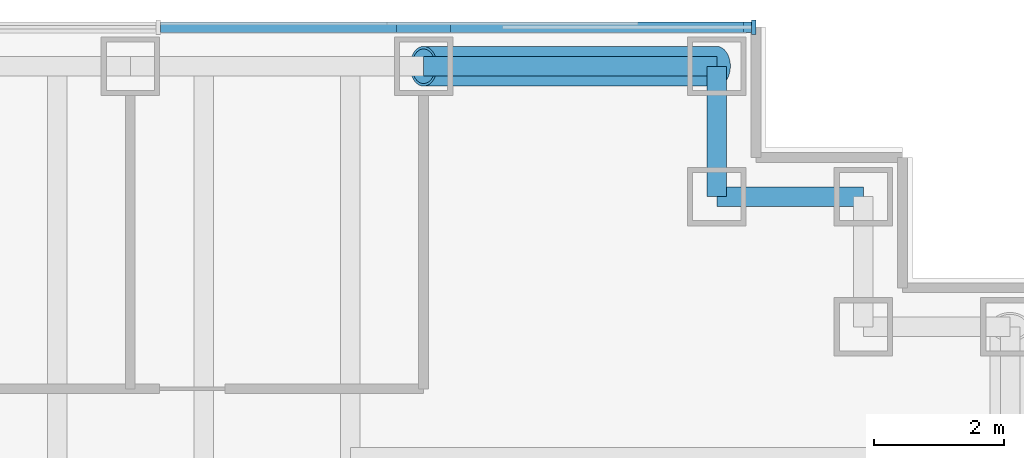
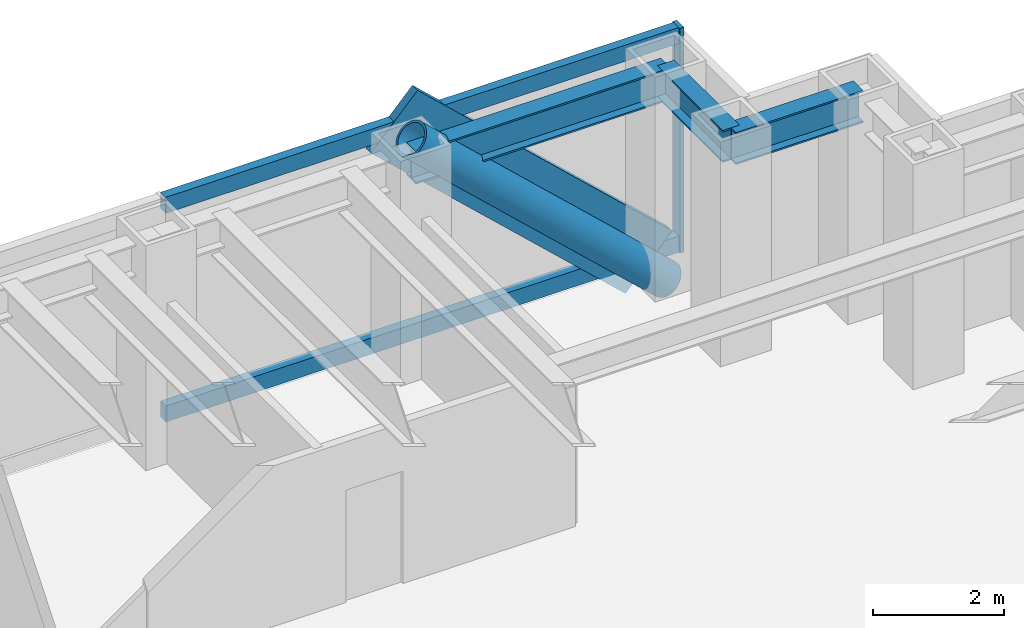
# One storey, part 8 of 15: 5 members, 3 beams, 1 element without a shape of its own.
"""IFC4 building model written with IfcOpenShell, lengths in metres."""

from ifc_helpers import new_model, si_unit, direction, frame, origin, origin_2d, place, context, subcontext, project, spatial, rectangle, hollow_circle, i_section, extrude, material, material_profile, profile_set, type_object, element, aggregate, save


model = new_model("IFC4")

# Units and contexts
model_context = context("Model", 3, precision=1e-05, world=origin(), true_north=direction((0.0, 1.0)))
body_context = subcontext(model_context, "Body", "Model", "MODEL_VIEW")
ifc_project = project(units=[si_unit("LENGTHUNIT", "METRE"), si_unit("AREAUNIT", "SQUARE_METRE"), si_unit("VOLUMEUNIT", "CUBIC_METRE"), si_unit("PLANEANGLEUNIT", "RADIAN"), si_unit("MASSUNIT", "GRAM", prefix="KILO")], contexts=[model_context])

# Site, building, storey
site_placement = place(None, origin())
site = spatial("IfcSite", under=ifc_project, at=site_placement, CompositionType="ELEMENT")
building_placement = place(site_placement, origin())
building = spatial("IfcBuilding", under=site, at=building_placement, Name="Rheinbord Bourse Tower", CompositionType="ELEMENT")
storey_placement = place(building_placement, frame((0.0, 0.0, 215.199951171875)))
storey = spatial("IfcBuildingStorey", under=building, at=storey_placement, Name="L48", CompositionType="ELEMENT", Elevation=215.199951171875)

# Curtain wall, members
ifc_material_1 = material(Name="Dark glass and black aluminium", Category="aluminium")
curtain_wall_type = type_object("IfcCurtainWallType", Name="CW2 DARK GLASS CURTAIN WALL", PredefinedType="USERDEFINED", material=ifc_material_1)
curtain_wall_placement = place(storey_placement, origin())
curtain_wall = element("IfcCurtainWall", 1, at=curtain_wall_placement, inside=storey, type_object=curtain_wall_type, Name="Curtain wall CW2 N L48", ObjectType="UNITISED CURTAIN WALL", PredefinedType="USERDEFINED")
ifc_material_2 = material(Name="Black anodised aluminium", Category="aluminium")
ifc_material_profile_1 = material_profile(ifc_material_2, rectangle(XDim=0.159912109375, YDim=1.2099609375, at=origin_2d()), Name="CW2 DIAGONAL MULLION 1210x160")
ifc_profile_set_1 = profile_set([ifc_material_profile_1], Name="Black anodised aluminium")
member_type_1 = type_object("IfcMemberType", Name="CW2 BLACK DIAGONAL MULLION", PredefinedType="USERDEFINED", material=ifc_profile_set_1)
member_1_placement = place(storey_placement, frame((67.5, 44.60009765625, 0.0), z_axis=(-0.73105922506, 0.0, 0.682314010889), x_axis=(0.0, -1.0, 0.0)))
member_1 = element("IfcMember", 2, at=member_1_placement, type_object=member_type_1, Name="CW2 diagonal mullion d", ObjectType="DIAGONAL MULLION", PredefinedType="USERDEFINED", context=body_context, shape_type="SweptSolid", body=[
    extrude(rectangle(XDim=0.159912109375, YDim=1.2099609375, at=origin_2d()), origin(), (0.0, 0.0, 1.0), 6.155517578125),
])
ifc_material_3 = material(Name="Black anodised aluminium", Category="aluminium")
ifc_material_profile_2 = material_profile(ifc_material_3, rectangle(XDim=0.219970703125, YDim=0.070068359375, at=origin_2d()), Name="CW2 MULLION 70x220")
ifc_profile_set_2 = profile_set([ifc_material_profile_2], Name="Black anodised aluminium")
member_type_2 = type_object("IfcMemberType", Name="CW2 BLACK MULLION", PredefinedType="MULLION", material=ifc_profile_set_2)
member_2_placement = place(storey_placement, frame((68.06494140625, 44.60009765625, 0.0), z_axis=(0.0, 0.0, 1.0), x_axis=(0.0, -1.0, 0.0)))
member_2 = element("IfcMember", 3, at=member_2_placement, type_object=member_type_2, Name="CW2 mullion 1", PredefinedType="MULLION", context=body_context, shape_type="SweptSolid", body=[
    extrude(rectangle(XDim=0.219970703125, YDim=0.070068359375, at=origin_2d()), origin(), (0.0, 0.0, 1.0), 4.199951171875),
])
ifc_material_4 = material(Name="Black anodised aluminium", Category="aluminium")
ifc_material_profile_3 = material_profile(ifc_material_4, rectangle(XDim=0.159912109375, YDim=0.300048828125, at=origin_2d()), Name="CW2 TRANSOM 300x160")
ifc_profile_set_3 = profile_set([ifc_material_profile_3], Name="Black anodised aluminium")
member_type_3 = type_object("IfcMemberType", Name="CW2 BLACK TRANSOM", PredefinedType="USERDEFINED", material=ifc_profile_set_3)
member_3_placement = place(storey_placement, frame((68.030029296875, 44.60009765625, 0.150146484375), z_axis=(-1.0, 0.0, 0.0), x_axis=(0.0, -1.0, 0.0)))
member_3 = element("IfcMember", 4, at=member_3_placement, type_object=member_type_3, Name="CW2 transom 1.1", ObjectType="TRANSOM", PredefinedType="USERDEFINED", context=body_context, shape_type="SweptSolid", body=[
    extrude(rectangle(XDim=0.159912109375, YDim=0.300048828125, at=origin_2d()), origin(), (0.0, 0.0, 1.0), 9.06640625),
])
member_4_placement = place(storey_placement, frame((68.030029296875, 44.60009765625, 4.050048828125), z_axis=(-1.0, 0.0, 0.0), x_axis=(0.0, -1.0, 0.0)))
member_4 = element("IfcMember", 5, at=member_4_placement, type_object=member_type_3, Name="CW2 transom 1.2", ObjectType="TRANSOM", PredefinedType="USERDEFINED", context=body_context, shape_type="SweptSolid", body=[
    extrude(rectangle(XDim=0.159912109375, YDim=0.300048828125, at=origin_2d()), origin(), (0.0, 0.0, 1.0), 9.06640625),
])
aggregate(curtain_wall, [member_2, member_3, member_4, member_1])

# Member
ifc_material_5 = material(Name="Steel S460", Category="steel")
ifc_material_profile_4 = material_profile(ifc_material_5, hollow_circle(Radius=0.304931640625, WallThickness=0.0400390625, at=origin_2d()), Name="CHS 610x40")
ifc_profile_set_4 = profile_set([ifc_material_profile_4], Name="Steel S460")
member_type_4 = type_object("IfcMemberType", Name="MEGABRACE CHS 610x40", PredefinedType="BRACE", material=ifc_profile_set_4)
member_5_placement = place(storey_placement, frame((67.5, 44.0, 0.0), z_axis=(-0.73105922506, 0.0, 0.682314010889), x_axis=(0.0, -1.0, 0.0)))
element("IfcMember", 6, at=member_5_placement, inside=storey, type_object=member_type_4, Name="Megabrace N face line d L48", PredefinedType="BRACE", context=body_context, shape_type="SweptSolid", body=[
    extrude(hollow_circle(Radius=0.304931640625, WallThickness=0.0400390625, at=origin_2d()), origin(), (0.0, 0.0, 1.0), 6.155517578125),
])

# Beams
ifc_material_6 = material(Name="Steel S460", Category="steel")
ifc_material_profile_5 = material_profile(ifc_material_6, i_section(OverallWidth=0.300048828125, OverallDepth=0.60009765625, WebThickness=0.015380859375, FlangeThickness=0.030029296875, at=origin_2d()), Name="HEB 600")
ifc_profile_set_5 = profile_set([ifc_material_profile_5], Name="Steel S460")
beam_type = type_object("IfcBeamType", Name="SPANDREL HEB 600", PredefinedType="SPANDREL", material=ifc_profile_set_5)
beam_1_placement = place(storey_placement, frame((69.75, 42.0, 3.739990234375), z_axis=(-1.0, 0.0, 0.0), x_axis=(0.0, -1.0, 0.0)))
element("IfcBeam", 7, at=beam_1_placement, inside=storey, type_object=beam_type, Name="Spandrel NE-C-NE-D under L49", PredefinedType="SPANDREL", context=body_context, shape_type="SweptSolid", body=[
    extrude(i_section(OverallWidth=0.300048828125, OverallDepth=0.60009765625, WebThickness=0.015380859375, FlangeThickness=0.030029296875, at=origin_2d()), origin(), (0.0, 0.0, 1.0), 2.25),
])
beam_2_placement = place(storey_placement, frame((67.5, 42.0, 3.739990234375), z_axis=(0.0, 1.0, 0.0), x_axis=(-1.0, 0.0, 0.0)))
element("IfcBeam", 8, at=beam_2_placement, inside=storey, type_object=beam_type, Name="Spandrel NE-D-NE-E under L49", PredefinedType="SPANDREL", context=body_context, shape_type="SweptSolid", body=[
    extrude(i_section(OverallWidth=0.300048828125, OverallDepth=0.60009765625, WebThickness=0.015380859375, FlangeThickness=0.030029296875, at=origin_2d()), origin(), (0.0, 0.0, 1.0), 2.0),
])
beam_3_placement = place(storey_placement, frame((67.5, 44.0, 3.739990234375), z_axis=(-1.0, 0.0, 0.0), x_axis=(0.0, -1.0, 0.0)))
element("IfcBeam", 9, at=beam_3_placement, inside=storey, type_object=beam_type, Name="Spandrel NE-E-N-63 under L49", PredefinedType="SPANDREL", context=body_context, shape_type="SweptSolid", body=[
    extrude(i_section(OverallWidth=0.300048828125, OverallDepth=0.60009765625, WebThickness=0.015380859375, FlangeThickness=0.030029296875, at=origin_2d()), origin(), (0.0, 0.0, 1.0), 4.5),
])

save(model, "model.ifc")
